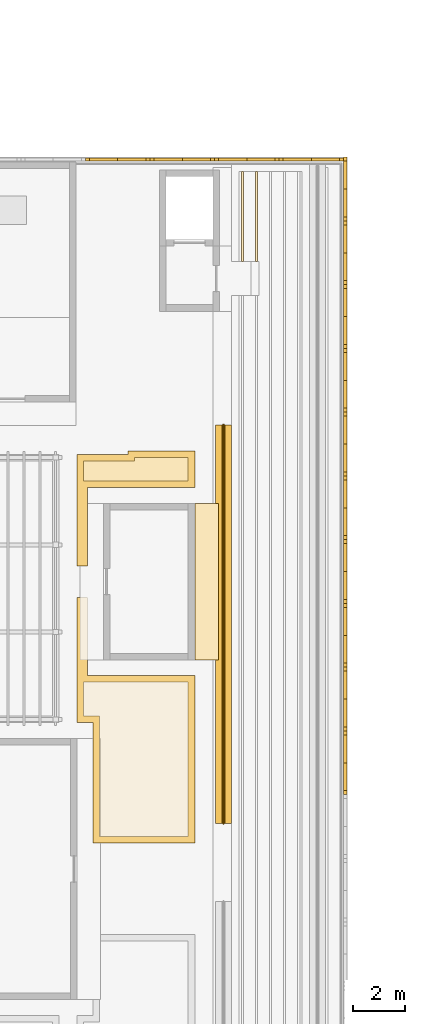
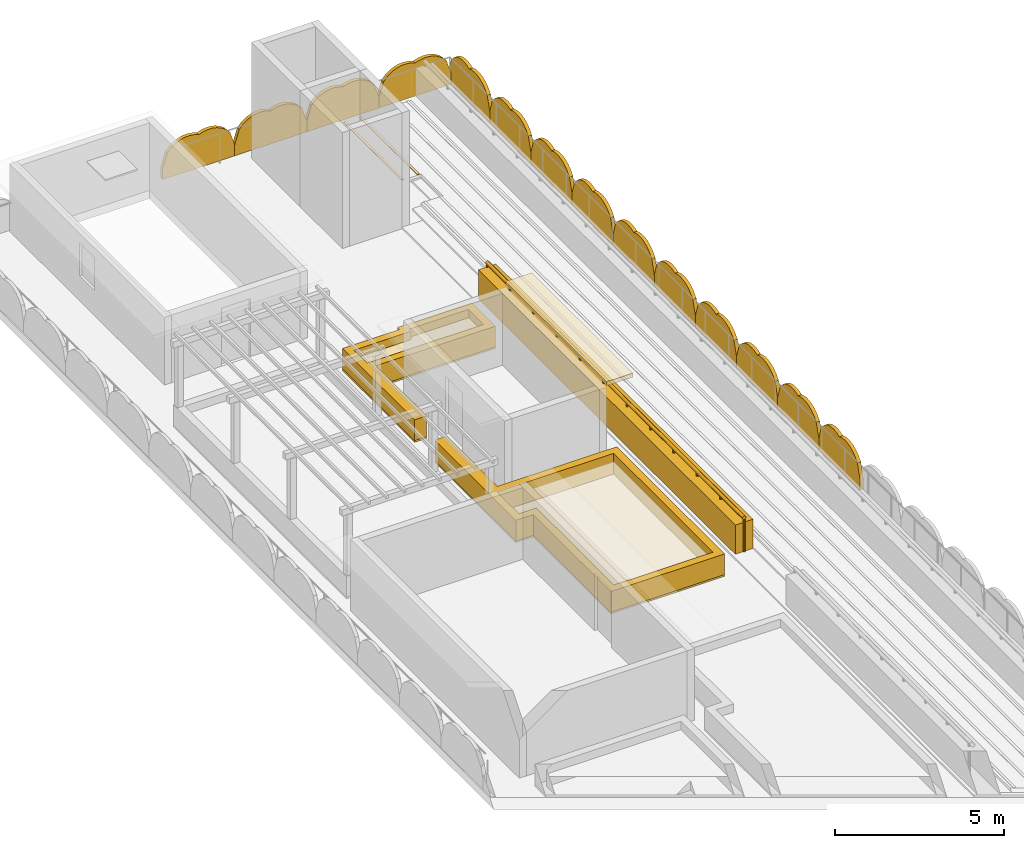
# One storey, part 22 of 22: 14 shading devices, 9 coverings, 1 railing.
"""IFC4 building model written with IfcOpenShell, lengths in metres."""

from ifc_helpers import new_model, si_unit, direction, frame, origin, origin_2d, place, context, subcontext, project, spatial, polyline, circle, outline, extrude, material, layer, layer_set, type_object, element, save


model = new_model("IFC4")

# Units and contexts
model_context = context("Model", 3, precision=1e-05, world=origin(), true_north=direction((0.0, 1.0)))
body_context = subcontext(model_context, "Body", "Model", "MODEL_VIEW")
ifc_project = project(units=[si_unit("LENGTHUNIT", "METRE"), si_unit("AREAUNIT", "SQUARE_METRE"), si_unit("VOLUMEUNIT", "CUBIC_METRE"), si_unit("PLANEANGLEUNIT", "RADIAN"), si_unit("MASSUNIT", "GRAM", prefix="KILO")], contexts=[model_context])

# Site, building, storey
site_placement = place(None, origin())
site = spatial("IfcSite", under=ifc_project, at=site_placement, CompositionType="ELEMENT")
building_placement = place(site_placement, origin())
building = spatial("IfcBuilding", under=site, at=building_placement, Name="Elbe Cascade School", CompositionType="ELEMENT")
storey_placement = place(building_placement, frame((0.0, 0.0, 18.89990234375)))
storey = spatial("IfcBuildingStorey", under=building, at=storey_placement, Name="R05", CompositionType="ELEMENT", Elevation=18.89990234375)

# Shading devices
ifc_material_1 = material(Name="Precast concrete C40/50", Category="concrete")
ifc_layer_1 = layer(ifc_material_1, 0.1201171875)
ifc_layer_set_1 = layer_set([ifc_layer_1], Name="Precast concrete C40/50")
shading_device_type = type_object("IfcShadingDeviceType", Name="Bars envelope Attic jali screen, pointed arch top, pierced precast concrete, 1200 high", PredefinedType="USERDEFINED", material=ifc_layer_set_1)
shading_device_1_placement = place(storey_placement, frame((86.320068359375, 35.84521484375, 0.0), z_axis=(1.0, 0.0, 0.0), x_axis=(0.0, 1.0, 0.0)))
element("IfcShadingDevice", 1, at=shading_device_1_placement, inside=storey, type_object=shading_device_type, Name="Attic jali screen SD1 A.R05.e13", ObjectType="JALI", PredefinedType="USERDEFINED", context=body_context, shape_type="SweptSolid", body=[
    extrude(outline(polyline([(0.0, 0.0), (2.4404296875, 0.0), (2.4404296875, 0.400146484375), (2.2880859375, 0.892822265625), (2.135498046875, 1.062744140625), (1.98291015625, 1.16748046875), (1.830322265625, 1.232177734375), (1.677978515625, 1.265380859375), (1.525390625, 1.271484375), (1.372802734375, 1.250244140625), (1.22021484375, 1.2001953125), (1.067626953125, 1.250244140625), (0.915283203125, 1.271484375), (0.7626953125, 1.265380859375), (0.610107421875, 1.232177734375), (0.45751953125, 1.16748046875), (0.30517578125, 1.062744140625), (0.152587890625, 0.892822265625), (0.0, 0.400146484375), (0.0, 0.0)])), origin(), (0.0, 0.0, -1.0), 0.1201171875),
])
shading_device_2_placement = place(storey_placement, frame((86.320068359375, 38.28564453125, 0.0), z_axis=(1.0, 0.0, 0.0), x_axis=(0.0, 1.0, 0.0)))
element("IfcShadingDevice", 2, at=shading_device_2_placement, inside=storey, type_object=shading_device_type, Name="Attic jali screen SD1 A.R05.e14", ObjectType="JALI", PredefinedType="USERDEFINED", context=body_context, shape_type="SweptSolid", body=[
    extrude(outline(polyline([(0.0, 0.0), (2.440673828125, 0.0), (2.440673828125, 0.400146484375), (2.2880859375, 0.892822265625), (2.135498046875, 1.062744140625), (1.98291015625, 1.16748046875), (1.83056640625, 1.232177734375), (1.677734375, 1.265380859375), (1.525390625, 1.271484375), (1.372802734375, 1.250244140625), (1.220458984375, 1.2001953125), (1.06787109375, 1.250244140625), (0.915283203125, 1.271484375), (0.7626953125, 1.265380859375), (0.610107421875, 1.232177734375), (0.457763671875, 1.16748046875), (0.30517578125, 1.062744140625), (0.152587890625, 0.892822265625), (0.0, 0.400146484375), (0.0, 0.0)])), origin(), (0.0, 0.0, -1.0), 0.1201171875),
])
shading_device_3_placement = place(storey_placement, frame((86.320068359375, 40.726318359375, 0.0), z_axis=(1.0, 0.0, 0.0), x_axis=(0.0, 1.0, 0.0)))
element("IfcShadingDevice", 3, at=shading_device_3_placement, inside=storey, type_object=shading_device_type, Name="Attic jali screen SD1 A.R05.e15", ObjectType="JALI", PredefinedType="USERDEFINED", context=body_context, shape_type="SweptSolid", body=[
    extrude(outline(polyline([(0.0, 0.0), (2.4404296875, 0.0), (2.4404296875, 0.400146484375), (2.287841796875, 0.892822265625), (2.13525390625, 1.062744140625), (1.982666015625, 1.16748046875), (1.830078125, 1.232177734375), (1.677734375, 1.265380859375), (1.525146484375, 1.271484375), (1.372802734375, 1.250244140625), (1.219970703125, 1.2001953125), (1.067626953125, 1.250244140625), (0.9150390625, 1.271484375), (0.762451171875, 1.265380859375), (0.60986328125, 1.232177734375), (0.45751953125, 1.16748046875), (0.304931640625, 1.062744140625), (0.15234375, 0.892822265625), (0.0, 0.400146484375), (0.0, 0.0)])), origin(), (0.0, 0.0, -1.0), 0.1201171875),
])
shading_device_4_placement = place(storey_placement, frame((86.320068359375, 43.166748046875, 0.0), z_axis=(1.0, 0.0, 0.0), x_axis=(0.0, 1.0, 0.0)))
element("IfcShadingDevice", 4, at=shading_device_4_placement, inside=storey, type_object=shading_device_type, Name="Attic jali screen SD1 A.R05.e16", ObjectType="JALI", PredefinedType="USERDEFINED", context=body_context, shape_type="SweptSolid", body=[
    extrude(outline(polyline([(0.0, 0.0), (2.4404296875, 0.0), (2.4404296875, 0.400146484375), (2.287841796875, 0.892822265625), (2.13525390625, 1.062744140625), (1.98291015625, 1.16748046875), (1.830322265625, 1.232177734375), (1.677734375, 1.265380859375), (1.525146484375, 1.271484375), (1.37255859375, 1.250244140625), (1.22021484375, 1.2001953125), (1.067626953125, 1.250244140625), (0.9150390625, 1.271484375), (0.762451171875, 1.265380859375), (0.610107421875, 1.232177734375), (0.45751953125, 1.16748046875), (0.304931640625, 1.062744140625), (0.15234375, 0.892822265625), (0.0, 0.400146484375), (0.0, 0.0)])), origin(), (0.0, 0.0, -1.0), 0.1201171875),
])
shading_device_5_placement = place(storey_placement, frame((86.320068359375, 45.607177734375, 0.0), z_axis=(1.0, 0.0, 0.0), x_axis=(0.0, 1.0, 0.0)))
element("IfcShadingDevice", 5, at=shading_device_5_placement, inside=storey, type_object=shading_device_type, Name="Attic jali screen SD1 A.R05.e17", ObjectType="JALI", PredefinedType="USERDEFINED", context=body_context, shape_type="SweptSolid", body=[
    extrude(outline(polyline([(0.0, 0.0), (2.4404296875, 0.0), (2.4404296875, 0.400146484375), (2.287841796875, 0.892822265625), (2.135498046875, 1.062744140625), (1.98291015625, 1.16748046875), (1.830322265625, 1.232177734375), (1.677734375, 1.265380859375), (1.525146484375, 1.271484375), (1.372802734375, 1.250244140625), (1.22021484375, 1.2001953125), (1.067626953125, 1.250244140625), (0.9150390625, 1.271484375), (0.7626953125, 1.265380859375), (0.610107421875, 1.232177734375), (0.45751953125, 1.16748046875), (0.304931640625, 1.062744140625), (0.152587890625, 0.892822265625), (0.0, 0.400146484375), (0.0, 0.0)])), origin(), (0.0, 0.0, -1.0), 0.1201171875),
])
shading_device_6_placement = place(storey_placement, frame((86.320068359375, 48.047607421875, 0.0), z_axis=(1.0, 0.0, 0.0), x_axis=(0.0, 1.0, 0.0)))
element("IfcShadingDevice", 6, at=shading_device_6_placement, inside=storey, type_object=shading_device_type, Name="Attic jali screen SD1 A.R05.e18", ObjectType="JALI", PredefinedType="USERDEFINED", context=body_context, shape_type="SweptSolid", body=[
    extrude(outline(polyline([(0.0, 0.0), (2.4404296875, 0.0), (2.4404296875, 0.400146484375), (2.2880859375, 0.892822265625), (2.135498046875, 1.062744140625), (1.98291015625, 1.16748046875), (1.830322265625, 1.232177734375), (1.677734375, 1.265380859375), (1.525390625, 1.271484375), (1.372802734375, 1.250244140625), (1.22021484375, 1.2001953125), (1.067626953125, 1.250244140625), (0.915283203125, 1.271484375), (0.7626953125, 1.265380859375), (0.610107421875, 1.232177734375), (0.45751953125, 1.16748046875), (0.30517578125, 1.062744140625), (0.152587890625, 0.892822265625), (0.0, 0.400146484375), (0.0, 0.0)])), origin(), (0.0, 0.0, -1.0), 0.1201171875),
])
shading_device_7_placement = place(storey_placement, frame((86.320068359375, 50.488037109375, 0.0), z_axis=(1.0, 0.0, 0.0), x_axis=(0.0, 1.0, 0.0)))
element("IfcShadingDevice", 7, at=shading_device_7_placement, inside=storey, type_object=shading_device_type, Name="Attic jali screen SD1 A.R05.e19", ObjectType="JALI", PredefinedType="USERDEFINED", context=body_context, shape_type="SweptSolid", body=[
    extrude(outline(polyline([(0.0, 0.0), (2.440673828125, 0.0), (2.440673828125, 0.400146484375), (2.287841796875, 0.892822265625), (2.135498046875, 1.062744140625), (1.98291015625, 1.16748046875), (1.83056640625, 1.232177734375), (1.677978515625, 1.265380859375), (1.525390625, 1.271484375), (1.372802734375, 1.250244140625), (1.22021484375, 1.2001953125), (1.06787109375, 1.250244140625), (0.915283203125, 1.271484375), (0.7626953125, 1.265380859375), (0.610107421875, 1.232177734375), (0.457763671875, 1.16748046875), (0.30517578125, 1.062744140625), (0.152587890625, 0.892822265625), (0.0, 0.400146484375), (0.0, 0.0)])), origin(), (0.0, 0.0, -1.0), 0.1201171875),
])
shading_device_8_placement = place(storey_placement, frame((86.320068359375, 52.9287109375, 0.0), z_axis=(1.0, 0.0, 0.0), x_axis=(0.0, 1.0, 0.0)))
element("IfcShadingDevice", 8, at=shading_device_8_placement, inside=storey, type_object=shading_device_type, Name="Attic jali screen SD1 A.R05.e20", ObjectType="JALI", PredefinedType="USERDEFINED", context=body_context, shape_type="SweptSolid", body=[
    extrude(outline(polyline([(0.0, 0.0), (2.440185546875, 0.0), (2.440185546875, 0.400146484375), (2.287841796875, 0.892822265625), (2.13525390625, 1.062744140625), (1.98291015625, 1.16748046875), (1.830078125, 1.232177734375), (1.677734375, 1.265380859375), (1.525146484375, 1.271484375), (1.37255859375, 1.250244140625), (1.219970703125, 1.2001953125), (1.067626953125, 1.250244140625), (0.9150390625, 1.271484375), (0.762451171875, 1.265380859375), (0.610107421875, 1.232177734375), (0.45751953125, 1.16748046875), (0.304931640625, 1.062744140625), (0.15234375, 0.892822265625), (0.0, 0.400146484375), (0.0, 0.0)])), origin(), (0.0, 0.0, -1.0), 0.1201171875),
])
shading_device_9_placement = place(storey_placement, frame((86.320068359375, 55.368896484375, 0.0), z_axis=(1.0, 0.0, 0.0), x_axis=(0.0, 1.0, 0.0)))
element("IfcShadingDevice", 9, at=shading_device_9_placement, inside=storey, type_object=shading_device_type, Name="Attic jali screen SD1 A.R05.e21", ObjectType="JALI", PredefinedType="USERDEFINED", context=body_context, shape_type="SweptSolid", body=[
    extrude(outline(polyline([(0.0, 0.0), (2.440673828125, 0.0), (2.440673828125, 0.400146484375), (2.2880859375, 0.892822265625), (2.135498046875, 1.062744140625), (1.98291015625, 1.16748046875), (1.83056640625, 1.232177734375), (1.677978515625, 1.265380859375), (1.525390625, 1.271484375), (1.372802734375, 1.250244140625), (1.220458984375, 1.2001953125), (1.06787109375, 1.250244140625), (0.915283203125, 1.271484375), (0.7626953125, 1.265380859375), (0.6103515625, 1.232177734375), (0.457763671875, 1.16748046875), (0.30517578125, 1.062744140625), (0.152587890625, 0.892822265625), (0.0, 0.400146484375), (0.0, 0.0)])), origin(), (0.0, 0.0, -1.0), 0.1201171875),
])
shading_device_10_placement = place(storey_placement, frame((86.320068359375, 57.8095703125, 0.0), z_axis=(1.0, 0.0, 0.0), x_axis=(0.0, 1.0, 0.0)))
element("IfcShadingDevice", 10, at=shading_device_10_placement, inside=storey, type_object=shading_device_type, Name="Attic jali screen SD1 A.R05.e22", ObjectType="JALI", PredefinedType="USERDEFINED", context=body_context, shape_type="SweptSolid", body=[
    extrude(outline(polyline([(0.0, 0.0), (2.4404296875, 0.0), (2.4404296875, 0.400146484375), (2.287841796875, 0.892822265625), (2.13525390625, 1.062744140625), (1.98291015625, 1.16748046875), (1.830322265625, 1.232177734375), (1.677734375, 1.265380859375), (1.525146484375, 1.271484375), (1.372802734375, 1.250244140625), (1.22021484375, 1.2001953125), (1.067626953125, 1.250244140625), (0.9150390625, 1.271484375), (0.7626953125, 1.265380859375), (0.610107421875, 1.232177734375), (0.45751953125, 1.16748046875), (0.304931640625, 1.062744140625), (0.152587890625, 0.892822265625), (0.0, 0.400146484375), (0.0, 0.0)])), origin(), (0.0, 0.0, -1.0), 0.1201171875),
])
shading_device_11_placement = place(storey_placement, frame((76.314208984375, 60.219970703125, 0.400146484375), z_axis=(0.0, 1.0, 0.0), x_axis=(0.296885994804, 0.0, 0.954912931156)))
element("IfcShadingDevice", 11, at=shading_device_11_placement, inside=storey, type_object=shading_device_type, Name="Attic jali screen SD1 A.R05.n4", ObjectType="JALI", PredefinedType="USERDEFINED", context=body_context, shape_type="SweptSolid", body=[
    extrude(outline(polyline([(0.0, 0.0), (0.5205399322619295, 0.0), (0.7296141233069511, 0.09683586158659269), (0.8759030447045664, 0.21293622992885647), (0.9833312303823933, 0.34137421400927725), (1.0606852539217615, 0.47916236735966106), (1.1109958448404997, 0.625358424859779), (1.1351230533656151, 0.7794393257404967), (1.130880512963428, 0.9425961554047334), (1.2268851796894373, 1.0745857541690937), (1.2943751336234934, 1.2151850156373067), (1.3358266690285774, 1.3641353865657857), (1.3502347718130312, 1.521493661643999), (1.3344962305267012, 1.6879689729523422), (1.2798969535205829, 1.8667818999988421), (1.162512406867058, 2.0648593338010137), (0.7337346009289507, 2.3600057622296102), (0.3516295486426392, 2.478803649310767), (-0.38210505228631153, 0.1187978870811568), (0.0, 0.0)])), origin(), (0.0, 0.0, -1.0), 0.1201171875),
])
shading_device_12_placement = place(storey_placement, frame((78.78564453125, 60.219970703125, 0.400146484375), z_axis=(0.0, 1.0, 0.0), x_axis=(0.296885994804, 0.0, 0.954912931156)))
element("IfcShadingDevice", 12, at=shading_device_12_placement, inside=storey, type_object=shading_device_type, Name="Attic jali screen SD1 A.R05.n5", ObjectType="JALI", PredefinedType="USERDEFINED", context=body_context, shape_type="SweptSolid", body=[
    extrude(outline(polyline([(0.0, 0.0), (0.5205399322619295, 0.0), (0.7295416413746257, 0.09660272854675966), (0.8759030447045664, 0.21293622992885647), (0.9833312303823933, 0.34137421400927725), (1.0606852539217615, 0.47916236735966106), (1.1109233629081745, 0.6251252918199459), (1.1351230533656151, 0.7794393257404967), (1.130880512963428, 0.9425961554047334), (1.226812697757112, 1.0743526211292607), (1.2943751336234934, 1.2151850156373067), (1.3358266690285774, 1.3641353865657857), (1.3502347718130312, 1.521493661643999), (1.3344962305267012, 1.6879689729523422), (1.2798969535205829, 1.8667818999988421), (1.1625848887993835, 2.065092466840847), (0.7337346009289507, 2.3600057622296102), (0.3516295486426392, 2.478803649310767), (-0.38210505228631153, 0.1187978870811568), (0.0, 0.0)])), origin(), (0.0, 0.0, -1.0), 0.1201171875),
])
shading_device_13_placement = place(storey_placement, frame((81.257080078125, 60.219970703125, 0.400146484375), z_axis=(0.0, 1.0, 0.0), x_axis=(0.296885994804, 0.0, 0.954912931156)))
element("IfcShadingDevice", 13, at=shading_device_13_placement, inside=storey, type_object=shading_device_type, Name="Attic jali screen SD1 A.R05.n6", ObjectType="JALI", PredefinedType="USERDEFINED", context=body_context, shape_type="SweptSolid", body=[
    extrude(outline(polyline([(0.0, 0.0), (0.5205399322619295, 0.0), (0.7296141233069511, 0.09683586158659269), (0.8759030447045664, 0.21293622992885647), (0.9833312303823933, 0.34137421400927725), (1.0606852539217615, 0.47916236735966106), (1.1109233629081745, 0.6251252918199459), (1.1351230533656151, 0.7794393257404967), (1.130880512963428, 0.9425961554047334), (1.226812697757112, 1.0743526211292607), (1.2943751336234934, 1.2151850156373067), (1.3358266690285774, 1.3641353865657857), (1.350162289880706, 1.521260528604166), (1.3344962305267012, 1.6879689729523422), (1.2798969535205829, 1.8667818999988421), (1.1625848887993835, 2.065092466840847), (0.7337346009289507, 2.3600057622296102), (0.3516295486426392, 2.478803649310767), (-0.38210505228631153, 0.1187978870811568), (0.0, 0.0)])), origin(), (0.0, 0.0, -1.0), 0.1201171875),
])
shading_device_14_placement = place(storey_placement, frame((83.728515625, 60.219970703125, 0.400146484375), z_axis=(0.0, 1.0, 0.0), x_axis=(0.296885994804, 0.0, 0.954912931156)))
element("IfcShadingDevice", 14, at=shading_device_14_placement, inside=storey, type_object=shading_device_type, Name="Attic jali screen SD1 A.R05.n7", ObjectType="JALI", PredefinedType="USERDEFINED", context=body_context, shape_type="SweptSolid", body=[
    extrude(outline(polyline([(0.0, 0.0), (0.5205399322619295, 0.0), (0.7296141233069511, 0.09683586158659269), (0.8759030447045664, 0.21293622992885647), (0.9833312303823933, 0.34137421400927725), (1.0606852539217615, 0.47916236735966106), (1.1109958448404997, 0.625358424859779), (1.1351230533656151, 0.7794393257404967), (1.130880512963428, 0.9425961554047334), (1.226812697757112, 1.0743526211292607), (1.2943751336234934, 1.2151850156373067), (1.3358266690285774, 1.3641353865657857), (1.350162289880706, 1.521260528604166), (1.3344962305267012, 1.6879689729523422), (1.2798969535205829, 1.8667818999988421), (1.162512406867058, 2.0648593338010137), (0.7337346009289507, 2.3600057622296102), (0.3516295486426392, 2.478803649310767), (-0.38210505228631153, 0.1187978870811568), (0.0, 0.0)])), origin(), (0.0, 0.0, -1.0), 0.1201171875),
])

# Coverings
ifc_material_2 = material(Name="Bituminous waterproofing membrane", Category="membrane")
ifc_layer_2 = layer(ifc_material_2, 0.06005859375)
ifc_layer_set_2 = layer_set([ifc_layer_2], Name="Bituminous waterproofing membrane")
covering_type_1 = type_object("IfcCoveringType", Name="Bars envelope Roof covering, bituminous waterproofing membrane", PredefinedType="ROOFING", material=ifc_layer_set_2)
covering_1_placement = place(storey_placement, origin())
element("IfcCovering", 15, at=covering_1_placement, inside=storey, type_object=covering_type_1, Name="Roof covering CV49 A.R05.4", PredefinedType="ROOFING", context=body_context, shape_type="SweptSolid", body=[
    extrude(outline(polyline([(76.60009765625, 38.60009765625), (76.0, 38.60009765625), (76.0, 43.39990234375), (76.39990234375, 43.39990234375), (76.39990234375, 40.39990234375), (80.5, 40.39990234375), (80.5, 34.0), (76.60009765625, 34.0), (76.60009765625, 38.60009765625)])), origin(), (0.0, 0.0, 1.0), 0.06005859375),
])
covering_2_placement = place(storey_placement, origin())
element("IfcCovering", 16, at=covering_2_placement, inside=storey, type_object=covering_type_1, Name="Roof covering CV49 A.R05.5", PredefinedType="ROOFING", context=body_context, shape_type="SweptSolid", body=[
    extrude(outline(polyline([(80.5, 47.60009765625), (76.39990234375, 47.60009765625), (76.39990234375, 44.60009765625), (76.0, 44.60009765625), (76.0, 48.875), (77.949951171875, 48.875), (77.949951171875, 49.0), (80.5, 49.0), (80.5, 47.60009765625)])), origin(), (0.0, 0.0, 1.0), 0.06005859375),
])
ifc_material_3 = material(Name="Running track surfacing - white lines", Category="surfacing")
ifc_layer_3 = layer(ifc_material_3, 0.02001953125)
ifc_layer_set_3 = layer_set([ifc_layer_3], Name="Running track surfacing - white lines")
covering_type_2 = type_object("IfcCoveringType", Name="Lane marking 80", PredefinedType="FLOORING", material=ifc_layer_set_3)
covering_3_placement = place(storey_placement, frame((0.0, 0.0, 0.22021484375)))
element("IfcCovering", 17, at=covering_3_placement, inside=storey, type_object=covering_type_2, Name="Lane marking A roof strip 1", PredefinedType="FLOORING", context=body_context, shape_type="SweptSolid", body=[
    extrude(outline(polyline([(82.360107421875, 59.699951171875), (82.360107421875, 56.25), (82.280029296875, 56.25), (82.280029296875, 59.699951171875), (82.360107421875, 59.699951171875)])), origin(), (0.0, 0.0, 1.0), 0.019775390625),
])
covering_4_placement = place(storey_placement, frame((0.0, 0.0, 0.22021484375)))
element("IfcCovering", 18, at=covering_4_placement, inside=storey, type_object=covering_type_2, Name="Lane marking A roof strip 2", PredefinedType="FLOORING", context=body_context, shape_type="SweptSolid", body=[
    extrude(outline(polyline([(82.89990234375, 59.699951171875), (82.89990234375, 56.25), (82.820068359375, 56.25), (82.820068359375, 59.699951171875), (82.89990234375, 59.699951171875)])), origin(), (0.0, 0.0, 1.0), 0.019775390625),
])
ifc_material_4 = material(Name="Concrete C30/37 precast kerb", Category="concrete")
ifc_layer_4 = layer(ifc_material_4, 0.25)
ifc_layer_set_4 = layer_set([ifc_layer_4], Name="Concrete C30/37 precast kerb")
covering_type_3 = type_object("IfcCoveringType", Name="Planting bed kerb 250x750", PredefinedType="CLADDING", material=ifc_layer_set_4)
covering_5_placement = place(storey_placement, frame((0.0, 0.0, 0.06005859375)))
element("IfcCovering", 19, at=covering_5_placement, inside=storey, type_object=covering_type_3, Name="Planting bed kerb A M2", PredefinedType="CLADDING", context=body_context, shape_type="SweptSolid", body=[
    extrude(outline(polyline([(80.5, 34.0), (76.60009765625, 34.0), (76.60009765625, 38.60009765625), (76.35009765625, 38.60009765625), (76.0, 38.60009765625), (76.0, 43.39990234375), (76.39990234375, 43.39990234375), (76.39990234375, 40.39990234375), (76.64990234375, 40.39990234375), (77.85009765625, 40.39990234375), (79.64990234375, 40.39990234375), (80.5, 40.39990234375), (80.5, 34.0)]), holes=[polyline([(76.25, 40.14990234375), (80.25, 40.14990234375), (80.25, 34.25), (76.85009765625, 34.25), (76.85009765625, 38.85009765625), (76.25, 38.85009765625), (76.25, 40.14990234375)])]), origin(), (0.0, 0.0, 1.0), 0.75),
])
covering_6_placement = place(storey_placement, frame((0.0, 0.0, 0.06005859375)))
element("IfcCovering", 20, at=covering_6_placement, inside=storey, type_object=covering_type_3, Name="Planting bed kerb A M3", PredefinedType="CLADDING", context=body_context, shape_type="SweptSolid", body=[
    extrude(outline(polyline([(80.5, 49.0), (80.5, 47.60009765625), (79.64990234375, 47.60009765625), (77.85009765625, 47.60009765625), (76.64990234375, 47.60009765625), (76.39990234375, 47.60009765625), (76.39990234375, 44.60009765625), (76.0, 44.60009765625), (76.0, 48.875), (77.699951171875, 48.875), (77.949951171875, 48.875), (77.949951171875, 49.0), (80.5, 49.0)]), holes=[polyline([(76.25, 47.85009765625), (76.25, 48.625), (78.199951171875, 48.625), (78.199951171875, 48.75), (80.25, 48.75), (80.25, 47.85009765625), (76.25, 47.85009765625)])]), origin(), (0.0, 0.0, 1.0), 0.75),
])
ifc_material_5 = material(Name="Precast concrete C30/37", Category="concrete")
ifc_layer_5 = layer(ifc_material_5, 0.14990234375)
ifc_layer_set_5 = layer_set([ifc_layer_5], Name="Precast concrete C30/37")
covering_type_4 = type_object("IfcCoveringType", Name="Roof head eave, precast concrete, 900 x 150", PredefinedType="USERDEFINED", material=ifc_layer_set_5)
covering_7_placement = place(storey_placement, frame((0.0, 0.0, 2.650146484375)))
element("IfcCovering", 21, at=covering_7_placement, inside=storey, type_object=covering_type_4, Name="Roof room eave A.R05.P3.e", ObjectType="EAVE", PredefinedType="USERDEFINED", context=body_context, shape_type="SweptSolid", body=[
    extrude(outline(polyline([(80.5, 41.0), (81.39990234375, 41.0), (81.39990234375, 47.0), (80.5, 47.0), (80.5, 41.0)])), origin(), (0.0, 0.0, 1.0), 0.14990234375),
])
ifc_material_6 = material(Name="Planting - soil and shrubs", Category="soil")
ifc_layer_6 = layer(ifc_material_6, 0.449951171875)
ifc_layer_set_6 = layer_set([ifc_layer_6], Name="Planting - soil and shrubs")
covering_type_5 = type_object("IfcCoveringType", Name="Roof planting bed 450", PredefinedType="USERDEFINED", material=ifc_layer_set_6)
covering_8_placement = place(storey_placement, frame((0.0, 0.0, 0.06005859375)))
element("IfcCovering", 22, at=covering_8_placement, inside=storey, type_object=covering_type_5, Name="Planting bed A M3", ObjectType="PLANTING BED", PredefinedType="USERDEFINED", context=body_context, shape_type="SweptSolid", body=[
    extrude(outline(polyline([(76.25, 47.85009765625), (76.25, 48.625), (78.199951171875, 48.625), (78.199951171875, 48.75), (80.25, 48.75), (80.25, 47.85009765625), (76.25, 47.85009765625)])), origin(), (0.0, 0.0, 1.0), 0.449951171875),
])

# Railing
ifc_material_7 = material(Name="Steel S355J2H", Category="steel")
railing_type = type_object("IfcRailingType", Name="Track edge rail 1280", PredefinedType="GUARDRAIL", material=ifc_material_7)
railing_placement = place(storey_placement, frame((81.60009765625, 50.0, 0.06005859375)))
element("IfcRailing", 23, at=railing_placement, inside=storey, type_object=railing_type, Name="Track edge rail RL6 A west 1", PredefinedType="GUARDRAIL", context=body_context, shape_type="SweptSolid", body=[
    extrude(circle(Radius=0.06005859375, at=origin_2d()), frame((0.0, 0.0, 1.219970703125), z_axis=(0.0, -1.0, 0.0), x_axis=(1.0, 0.0, 0.0)), (0.0, 0.0, 1.0), 15.25),
    extrude(circle(Radius=0.0400390625, at=origin_2d()), origin(), (0.0, 0.0, 1.0), 1.159912109375),
    extrude(circle(Radius=0.0400390625, at=origin_2d()), frame((0.0, -1.386474609375, 0.0)), (0.0, 0.0, 1.0), 1.159912109375),
    extrude(circle(Radius=0.0400390625, at=origin_2d()), frame((0.0, -2.772705078125, 0.0)), (0.0, 0.0, 1.0), 1.159912109375),
    extrude(circle(Radius=0.0400390625, at=origin_2d()), frame((0.0, -4.1591796875, 0.0)), (0.0, 0.0, 1.0), 1.159912109375),
    extrude(circle(Radius=0.0400390625, at=origin_2d()), frame((0.0, -5.54541015625, 0.0)), (0.0, 0.0, 1.0), 1.159912109375),
    extrude(circle(Radius=0.0400390625, at=origin_2d()), frame((0.0, -6.931884765625, 0.0)), (0.0, 0.0, 1.0), 1.159912109375),
    extrude(circle(Radius=0.0400390625, at=origin_2d()), frame((0.0, -8.318115234375, 0.0)), (0.0, 0.0, 1.0), 1.159912109375),
    extrude(circle(Radius=0.0400390625, at=origin_2d()), frame((0.0, -9.70458984375, 0.0)), (0.0, 0.0, 1.0), 1.159912109375),
    extrude(circle(Radius=0.0400390625, at=origin_2d()), frame((0.0, -11.0908203125, 0.0)), (0.0, 0.0, 1.0), 1.159912109375),
    extrude(circle(Radius=0.0400390625, at=origin_2d()), frame((0.0, -12.477294921875, 0.0)), (0.0, 0.0, 1.0), 1.159912109375),
    extrude(circle(Radius=0.0400390625, at=origin_2d()), frame((0.0, -13.863525390625, 0.0)), (0.0, 0.0, 1.0), 1.159912109375),
    extrude(circle(Radius=0.0400390625, at=origin_2d()), frame((0.0, -15.25, 0.0)), (0.0, 0.0, 1.0), 1.159912109375),
])

# Covering
ifc_material_8 = material(Name="Concrete C30/37 precast parapet", Category="concrete")
ifc_layer_7 = layer(ifc_material_8, 0.60009765625)
ifc_layer_set_7 = layer_set([ifc_layer_7], Name="Concrete C30/37 precast parapet")
covering_type_6 = type_object("IfcCoveringType", Name="Track parapet on deck 600x1060", PredefinedType="CLADDING", material=ifc_layer_set_7)
covering_9_placement = place(storey_placement, frame((0.0, 0.0, 0.06005859375)))
element("IfcCovering", 24, at=covering_9_placement, inside=storey, type_object=covering_type_6, Name="Track parapet A west 1", PredefinedType="CLADDING", context=body_context, shape_type="SweptSolid", body=[
    extrude(outline(polyline([(81.300048828125, 50.0), (81.89990234375, 50.0), (81.89990234375, 34.75), (81.300048828125, 34.75), (81.300048828125, 50.0)])), origin(), (0.0, 0.0, 1.0), 1.06005859375),
])

save(model, "model.ifc")
